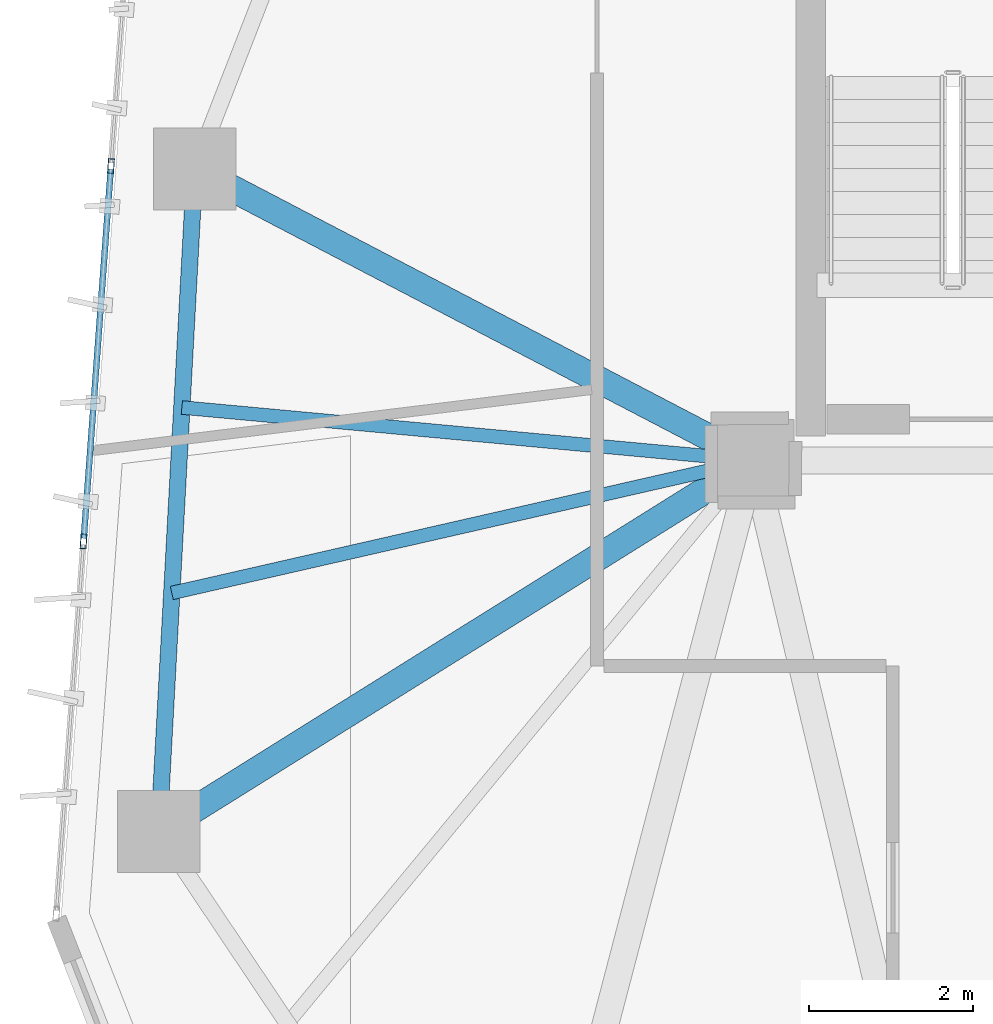
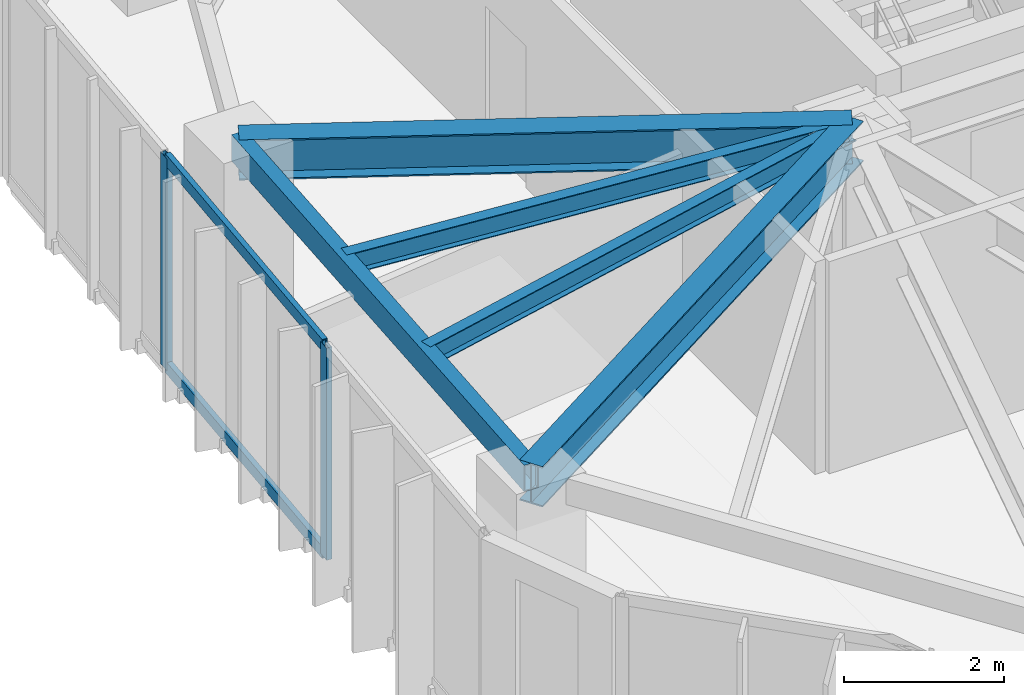
# One storey, part 7 of 20: 5 beams, 4 members, 1 element without a shape of its own.
"""IFC4 building model written with IfcOpenShell, lengths in metres."""

from ifc_helpers import new_model, si_unit, direction, frame, origin, origin_2d, place, context, subcontext, project, spatial, hollow_rectangle, i_section, extrude, source, transform, mapped, material, layer, layer_set, material_profile, profile_set, type_object, type_shapes, element, aggregate, save


model = new_model("IFC4")

# Units and contexts
model_context = context("Model", 3, precision=1e-05, world=origin(), true_north=direction((0.0, 1.0)))
body_context = subcontext(model_context, "Body", "Model", "MODEL_VIEW")
ifc_project = project(units=[si_unit("LENGTHUNIT", "METRE"), si_unit("AREAUNIT", "SQUARE_METRE"), si_unit("VOLUMEUNIT", "CUBIC_METRE"), si_unit("PLANEANGLEUNIT", "RADIAN"), si_unit("MASSUNIT", "GRAM", prefix="KILO")], contexts=[model_context])

# Site, building, storey
site_placement = place(None, origin())
site = spatial("IfcSite", under=ifc_project, at=site_placement, CompositionType="ELEMENT")
building_placement = place(site_placement, origin())
building = spatial("IfcBuilding", under=site, at=building_placement, Name="Talar Marvaseh", CompositionType="ELEMENT")
storey_placement = place(building_placement, frame((0.0, 0.0, 215.199951171875)))
storey = spatial("IfcBuildingStorey", under=building, at=storey_placement, Name="L56", CompositionType="ELEMENT", Elevation=215.199951171875)

# Beams
ifc_material_1 = material(Name="Steel S355", Category="steel")
ifc_material_profile_1 = material_profile(ifc_material_1, hollow_rectangle(XDim=0.199951171875, YDim=0.39990234375, WallThickness=0.013916015625, at=origin_2d()), Name="RHS400x200x14")
ifc_profile_set_1 = profile_set([ifc_material_profile_1], Name="Steel S355")
beam_type_1 = type_object("IfcBeamType", Name="Zone 3 Perimeter Spandrel Beam RHS400x200x14", PredefinedType="SPANDREL", material=ifc_profile_set_1)
beam_1_placement = place(storey_placement, frame((11.471923828125, 20.986083984375, 3.030029296875), z_axis=(0.054148078426, 0.998532916635, 0.0), x_axis=(-0.998532916635, 0.054148078426, 0.0)))
element("IfcBeam", 1, at=beam_1_placement, inside=storey, type_object=beam_type_1, Name="L56 Zone 3 Perimeter Spandrel Beam RHS400x200x14", PredefinedType="SPANDREL", context=body_context, shape_type="SweptSolid", body=[
    extrude(hollow_rectangle(XDim=0.199951171875, YDim=0.39990234375, WallThickness=0.013916015625, at=origin_2d()), origin(), (0.0, 0.0, 1.0), 8.070556640625),
])
ifc_material_profile_2 = material_profile(ifc_material_1, i_section(OverallWidth=0.324951171875, OverallDepth=0.615966796875, WebThickness=0.013916015625, FlangeThickness=0.021484375, at=origin_2d()), Name="W610x174")
ifc_profile_set_2 = profile_set([ifc_material_profile_2], Name="Steel S355")
beam_type_2 = type_object("IfcBeamType", Name="Zone 3 Radial Floor Girder W610x174", PredefinedType="BEAM", material=ifc_profile_set_2)
beam_2_placement = place(storey_placement, frame((11.471923828125, 20.986083984375, 2.922119140625), z_axis=(0.848188171212, 0.52969503133, 0.0), x_axis=(-0.52969503133, 0.848188171212, 0.0)))
element("IfcBeam", 2, at=beam_2_placement, inside=storey, type_object=beam_type_2, Name="L56 Zone 3 Radial Floor Girder W610x174", PredefinedType="BEAM", context=body_context, shape_type="SweptSolid", body=[
    extrude(i_section(OverallWidth=0.324951171875, OverallDepth=0.615966796875, WebThickness=0.013916015625, FlangeThickness=0.021484375, at=origin_2d()), origin(), (0.0, 0.0, 1.0), 8.521728515625),
])
beam_3_placement = place(storey_placement, frame((11.908935546875, 29.044921875, 2.922119140625), z_axis=(0.886489360055, -0.462748975697, 0.0), x_axis=(0.462748975697, 0.886489360055, 0.0)))
element("IfcBeam", 3, at=beam_3_placement, inside=storey, type_object=beam_type_2, Name="L56 Zone 3 Radial Floor Girder W610x174", PredefinedType="BEAM", context=body_context, shape_type="SweptSolid", body=[
    extrude(i_section(OverallWidth=0.324951171875, OverallDepth=0.615966796875, WebThickness=0.013916015625, FlangeThickness=0.021484375, at=origin_2d()), origin(), (0.0, 0.0, 1.0), 7.66064453125),
])
ifc_material_profile_3 = material_profile(ifc_material_1, i_section(OverallWidth=0.166015625, OverallDepth=0.31298828125, WebThickness=0.006591796875, FlangeThickness=0.01123046875, at=origin_2d()), Name="W310x45")
ifc_profile_set_3 = profile_set([ifc_material_profile_3], Name="Steel S355")
beam_type_3 = type_object("IfcBeamType", Name="Zone 3 Secondary Floor Joist W310x45", PredefinedType="JOIST", material=ifc_profile_set_3)
beam_4_placement = place(storey_placement, frame((11.62939453125, 23.88720703125, 3.073486328125), z_axis=(0.974958279205, 0.222387845462, 0.0), x_axis=(-0.222387845462, 0.974958279205, 0.0)))
element("IfcBeam", 4, at=beam_4_placement, inside=storey, type_object=beam_type_3, Name="L56 Zone 3 Secondary Floor Joist W310x45", PredefinedType="JOIST", context=body_context, shape_type="SweptSolid", body=[
    extrude(i_section(OverallWidth=0.166015625, OverallDepth=0.31298828125, WebThickness=0.006591796875, FlangeThickness=0.01123046875, at=origin_2d()), origin(), (0.0, 0.0, 1.0), 7.252197265625),
])
beam_5_placement = place(storey_placement, frame((11.751708984375, 26.143798828125, 3.073486328125), z_axis=(0.995734842854, -0.092261165868, 0.0), x_axis=(0.092261165868, 0.995734842854, 0.0)))
element("IfcBeam", 5, at=beam_5_placement, inside=storey, type_object=beam_type_3, Name="L56 Zone 3 Secondary Floor Joist W310x45", PredefinedType="JOIST", context=body_context, shape_type="SweptSolid", body=[
    extrude(i_section(OverallWidth=0.166015625, OverallDepth=0.31298828125, WebThickness=0.006591796875, FlangeThickness=0.01123046875, at=origin_2d()), origin(), (0.0, 0.0, 1.0), 6.97802734375),
])

# Curtain wall, members
ifc_material_2 = material(Name="Architectural Aluminium", Category="aluminium")
ifc_layer = layer(ifc_material_2, 0.18994140625)
ifc_layer_set = layer_set([ifc_layer], Name="Architectural Aluminium")
curtain_wall_type = type_object("IfcCurtainWallType", Name="Unitised Solar Atelier Curtain Wall Z3", PredefinedType="NOTDEFINED", material=ifc_layer_set)
curtain_wall_placement = place(storey_placement, origin())
curtain_wall = element("IfcCurtainWall", 6, at=curtain_wall_placement, inside=storey, type_object=curtain_wall_type, Name="L56 Unitised Solar Atelier Curtain Wall Z3", PredefinedType="NOTDEFINED")
ifc_material_profile_4 = material_profile(ifc_material_2, hollow_rectangle(XDim=0.074951171875, YDim=0.179931640625, WallThickness=0.0048828125, at=origin_2d()), Name="RHS180x75x5")
ifc_profile_set_4 = profile_set([ifc_material_profile_4], Name="Architectural Aluminium")
member_type_1 = type_object("IfcMemberType", Name="Unitised Curtain Wall Standard Mullion RHS180x75x5", PredefinedType="MULLION", material=ifc_profile_set_4)
shared_shape_1 = source(origin(), body_context, "Body", "SweptSolid", [
    extrude(hollow_rectangle(XDim=0.074951171875, YDim=0.179931640625, WallThickness=0.0048828125, at=origin_2d()), origin(), (0.0, 0.0, 1.0), 3.22998046875),
])
type_shapes(member_type_1, [shared_shape_1])
member_1_placement = place(storey_placement, frame((10.555908203125, 24.51513671875, 0.0), z_axis=(0.0, 0.0, 1.0), x_axis=(-0.99733736785, 0.072925816354, 0.0)))
member_1 = element("IfcMember", 7, at=member_1_placement, type_object=member_type_1, Name="CW-Z3 mullion 2", PredefinedType="MULLION", context=body_context, shape_type="MappedRepresentation", body=[
    mapped(shared_shape_1, transform((0.0, 0.0, 0.0), x_axis=(1.0, 0.0, 0.0), y_axis=(0.0, 1.0, 0.0), z_axis=(0.0, 0.0, 1.0), scale=1.0)),
])
member_2_placement = place(storey_placement, frame((10.8896484375, 29.080078125, 0.0), z_axis=(0.0, 0.0, 1.0), x_axis=(-0.99733736785, 0.072925816354, 0.0)))
member_2 = element("IfcMember", 8, at=member_2_placement, type_object=member_type_1, Name="CW-Z3 mullion 3", PredefinedType="MULLION", context=body_context, shape_type="MappedRepresentation", body=[
    mapped(shared_shape_1, transform((0.0, 0.0, 0.0), x_axis=(1.0, 0.0, 0.0), y_axis=(0.0, 1.0, 0.0), z_axis=(0.0, 0.0, 1.0), scale=1.0)),
])
ifc_material_profile_5 = material_profile(ifc_material_2, hollow_rectangle(XDim=0.074951171875, YDim=0.179931640625, WallThickness=0.0048828125, at=origin_2d()), Name="RHS180x75x5")
ifc_profile_set_5 = profile_set([ifc_material_profile_5], Name="Architectural Aluminium")
member_type_2 = type_object("IfcMemberType", Name="Unitised Curtain Wall Transom RHS180x75x5", PredefinedType="USERDEFINED", material=ifc_profile_set_5)
shared_shape_2 = source(origin(), body_context, "Body", "SweptSolid", [
    extrude(hollow_rectangle(XDim=0.074951171875, YDim=0.179931640625, WallThickness=0.0048828125, at=origin_2d()), origin(), (0.0, 0.0, 1.0), 4.502197265625),
])
type_shapes(member_type_2, [shared_shape_2])
member_3_placement = place(storey_placement, frame((10.55859375, 24.552490234375, 0.03759765625), z_axis=(0.072934855953, 0.997336706828, 0.0), x_axis=(-0.997336706828, 0.072934855953, 0.0)))
member_3 = element("IfcMember", 9, at=member_3_placement, type_object=member_type_2, Name="CW-Z3 transom 2.1", ObjectType="TRANSOM", PredefinedType="USERDEFINED", context=body_context, shape_type="MappedRepresentation", body=[
    mapped(shared_shape_2, transform((0.0, 0.0, 0.0), x_axis=(1.0, 0.0, 0.0), y_axis=(0.0, 1.0, 0.0), z_axis=(0.0, 0.0, 1.0), scale=1.0)),
])
member_4_placement = place(storey_placement, frame((10.55859375, 24.552490234375, 3.192626953125), z_axis=(0.072934855953, 0.997336706828, 0.0), x_axis=(-0.997336706828, 0.072934855953, 0.0)))
member_4 = element("IfcMember", 10, at=member_4_placement, type_object=member_type_2, Name="CW-Z3 transom 2.2", ObjectType="TRANSOM", PredefinedType="USERDEFINED", context=body_context, shape_type="MappedRepresentation", body=[
    mapped(shared_shape_2, transform((0.0, 0.0, 0.0), x_axis=(1.0, 0.0, 0.0), y_axis=(0.0, 1.0, 0.0), z_axis=(0.0, 0.0, 1.0), scale=1.0)),
])
aggregate(curtain_wall, [member_1, member_2, member_3, member_4])

save(model, "model.ifc")
